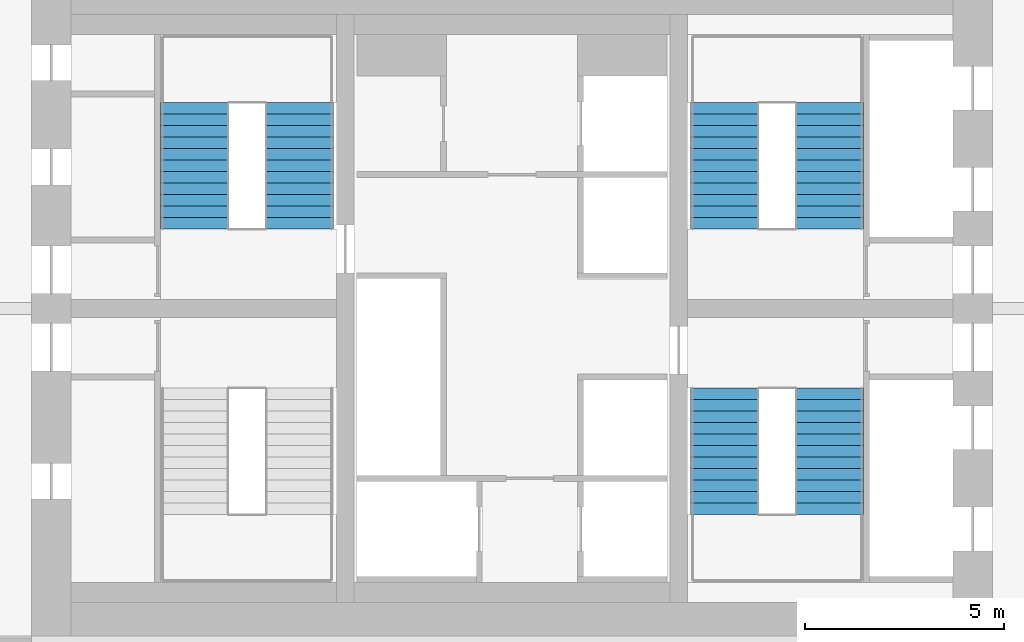
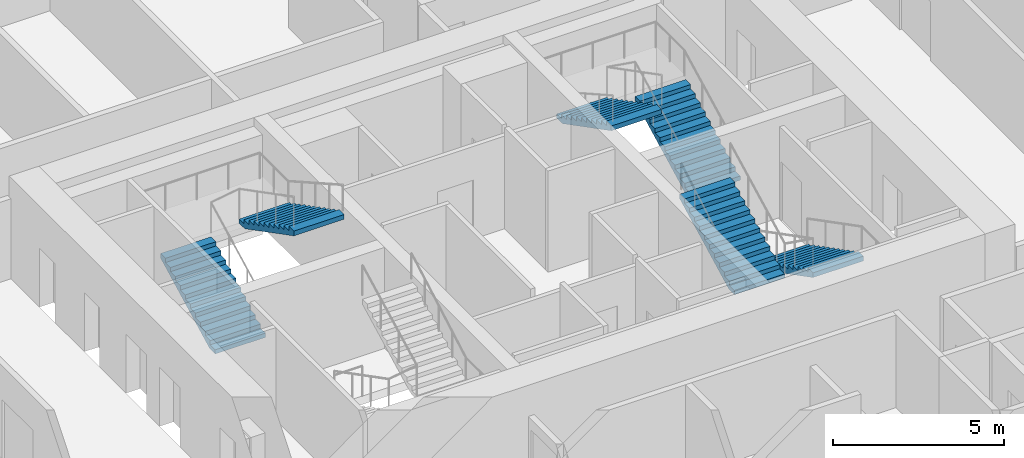
# One storey, part 33 of 34: 6 stair flights, 3 elements without a shape of their own.
"""IFC4 building model written with IfcOpenShell, lengths in metres."""

from ifc_helpers import new_model, si_unit, direction, frame, origin, place, context, subcontext, project, spatial, polyline, outline, extrude, material, type_object, element, aggregate, save


model = new_model("IFC4")

# Units and contexts
model_context = context("Model", 3, precision=1e-05, world=origin(), true_north=direction((0.0, 1.0)))
body_context = subcontext(model_context, "Body", "Model", "MODEL_VIEW")
ifc_project = project(units=[si_unit("LENGTHUNIT", "METRE"), si_unit("AREAUNIT", "SQUARE_METRE"), si_unit("VOLUMEUNIT", "CUBIC_METRE"), si_unit("PLANEANGLEUNIT", "RADIAN"), si_unit("MASSUNIT", "GRAM", prefix="KILO")], contexts=[model_context])

# Site, building, storey
site_placement = place(None, origin())
site = spatial("IfcSite", under=ifc_project, at=site_placement, CompositionType="ELEMENT")
building_placement = place(site_placement, origin())
building = spatial("IfcBuilding", under=site, at=building_placement, Name="Marenta Gate Hotel Tower", CompositionType="ELEMENT")
storey_placement = place(building_placement, frame((0.0, 0.0, 166.10009765625)))
storey = spatial("IfcBuildingStorey", under=building, at=storey_placement, Name="L39", CompositionType="ELEMENT", Elevation=166.10009765625)

# Stair, stair flights
ifc_material_1 = material(Name="Concrete C40", Category="concrete")
stair_type = type_object("IfcStairType", Name="Core exit stair 1700 wide", PredefinedType="HALF_TURN_STAIR", material=ifc_material_1)
stair_1_placement = place(storey_placement, origin())
stair_1 = element("IfcStair", 1, at=stair_1_placement, inside=storey, type_object=stair_type, Name="Exit stair 2", PredefinedType="HALF_TURN_STAIR")
ifc_material_2 = material(Name="Concrete C40", Category="concrete")
stair_flight_type = type_object("IfcStairFlightType", Name="Core stair flight 1700 riser 150.0 going 290", PredefinedType="STRAIGHT", material=ifc_material_2)
stair_flight_1_placement = place(storey_placement, frame((-8.0, 10.39990234375, 0.0), z_axis=(0.0, 0.0, 1.0), x_axis=(0.0, 1.0, 0.0)))
stair_flight_1 = element("IfcStairFlight", 2, at=stair_flight_1_placement, type_object=stair_flight_type, Name="ST2 flight 1", NumberOfRisers=12, NumberOfTreads=11, PredefinedType="STRAIGHT", RiserHeight=0.15, TreadLength=0.29, context=body_context, shape_type="SweptSolid", body=[
    extrude(outline(polyline([(0.0, 0.0), (0.0, 0.14990234375), (0.2900390625, 0.14990234375), (0.2900390625, 0.300048828125), (0.580078125, 0.300048828125), (0.580078125, 0.449951171875), (0.8701171875, 0.449951171875), (0.8701171875, 0.60009765625), (1.159912109375, 0.60009765625), (1.159912109375, 0.75), (1.449951171875, 0.75), (1.449951171875, 0.89990234375), (1.739990234375, 0.89990234375), (1.739990234375, 1.050048828125), (2.030029296875, 1.050048828125), (2.030029296875, 1.199951171875), (2.320068359375, 1.199951171875), (2.320068359375, 1.35009765625), (2.610107421875, 1.35009765625), (2.610107421875, 1.5), (2.89990234375, 1.5), (2.89990234375, 1.64990234375), (3.18994140625, 1.64990234375), (3.18994140625, 1.800048828125), (3.18994140625, 1.481201171875), (0.326171875, 0.0), (0.0, 0.0)])), frame((0.0, 0.85009765625, 0.0), z_axis=(0.0, -1.0, 0.0), x_axis=(1.0, 0.0, 0.0)), (0.0, 0.0, 1.0), 1.699951171875),
])
stair_flight_2_placement = place(storey_placement, frame((-5.35009765625, 13.590087890625, 1.7998046875), z_axis=(0.0, 0.0, 1.0), x_axis=(0.0, -1.0, 0.0)))
stair_flight_2 = element("IfcStairFlight", 3, at=stair_flight_2_placement, type_object=stair_flight_type, Name="ST2 flight 2", NumberOfRisers=12, NumberOfTreads=11, PredefinedType="STRAIGHT", RiserHeight=0.15, TreadLength=0.29, context=body_context, shape_type="SweptSolid", body=[
    extrude(outline(polyline([(0.0, 0.0), (0.0, 0.14990234375), (0.2900390625, 0.14990234375), (0.2900390625, 0.300048828125), (0.580078125, 0.300048828125), (0.580078125, 0.449951171875), (0.8701171875, 0.449951171875), (0.8701171875, 0.60009765625), (1.159912109375, 0.60009765625), (1.159912109375, 0.75), (1.449951171875, 0.75), (1.449951171875, 0.89990234375), (1.739990234375, 0.89990234375), (1.739990234375, 1.050048828125), (2.030029296875, 1.050048828125), (2.030029296875, 1.199951171875), (2.320068359375, 1.199951171875), (2.320068359375, 1.35009765625), (2.610107421875, 1.35009765625), (2.610107421875, 1.5), (2.89990234375, 1.5), (2.89990234375, 1.64990234375), (3.18994140625, 1.64990234375), (3.18994140625, 1.800048828125), (3.18994140625, 1.481201171875), (0.326171875, 0.0), (0.0, 0.0)])), frame((0.0, 0.85009765625, 0.0), z_axis=(0.0, -1.0, 0.0), x_axis=(1.0, 0.0, 0.0)), (0.0, 0.0, 1.0), 1.699951171875),
])
aggregate(stair_1, [stair_flight_1, stair_flight_2])

stair_2_placement = place(storey_placement, origin())
stair_2 = element("IfcStair", 4, at=stair_2_placement, inside=storey, type_object=stair_type, Name="Exit stair 3", PredefinedType="HALF_TURN_STAIR")
stair_flight_3_placement = place(storey_placement, frame((8.0, 6.39990234375, 0.0), z_axis=(0.0, 0.0, 1.0), x_axis=(0.0, -1.0, 0.0)))
stair_flight_3 = element("IfcStairFlight", 5, at=stair_flight_3_placement, type_object=stair_flight_type, Name="ST3 flight 1", NumberOfRisers=12, NumberOfTreads=11, PredefinedType="STRAIGHT", RiserHeight=0.15, TreadLength=0.29, context=body_context, shape_type="SweptSolid", body=[
    extrude(outline(polyline([(0.0, 0.0), (0.0, 0.14990234375), (0.2900390625, 0.14990234375), (0.2900390625, 0.300048828125), (0.580078125, 0.300048828125), (0.580078125, 0.449951171875), (0.8701171875, 0.449951171875), (0.8701171875, 0.60009765625), (1.159912109375, 0.60009765625), (1.159912109375, 0.75), (1.449951171875, 0.75), (1.449951171875, 0.89990234375), (1.739990234375, 0.89990234375), (1.739990234375, 1.050048828125), (2.030029296875, 1.050048828125), (2.030029296875, 1.199951171875), (2.320068359375, 1.199951171875), (2.320068359375, 1.35009765625), (2.610107421875, 1.35009765625), (2.610107421875, 1.5), (2.89990234375, 1.5), (2.89990234375, 1.64990234375), (3.18994140625, 1.64990234375), (3.18994140625, 1.800048828125), (3.18994140625, 1.481201171875), (0.326171875, 0.0), (0.0, 0.0)])), frame((0.0, 0.85009765625, 0.0), z_axis=(0.0, -1.0, 0.0), x_axis=(1.0, 0.0, 0.0)), (0.0, 0.0, 1.0), 1.699951171875),
])
stair_flight_4_placement = place(storey_placement, frame((5.35009765625, 3.2099609375, 1.7998046875), z_axis=(0.0, 0.0, 1.0), x_axis=(0.0, 1.0, 0.0)))
stair_flight_4 = element("IfcStairFlight", 6, at=stair_flight_4_placement, type_object=stair_flight_type, Name="ST3 flight 2", NumberOfRisers=12, NumberOfTreads=11, PredefinedType="STRAIGHT", RiserHeight=0.15, TreadLength=0.29, context=body_context, shape_type="SweptSolid", body=[
    extrude(outline(polyline([(0.0, 0.0), (0.0, 0.14990234375), (0.2900390625, 0.14990234375), (0.2900390625, 0.300048828125), (0.580078125, 0.300048828125), (0.580078125, 0.449951171875), (0.8701171875, 0.449951171875), (0.8701171875, 0.60009765625), (1.159912109375, 0.60009765625), (1.159912109375, 0.75), (1.449951171875, 0.75), (1.449951171875, 0.89990234375), (1.739990234375, 0.89990234375), (1.739990234375, 1.050048828125), (2.030029296875, 1.050048828125), (2.030029296875, 1.199951171875), (2.320068359375, 1.199951171875), (2.320068359375, 1.35009765625), (2.610107421875, 1.35009765625), (2.610107421875, 1.5), (2.89990234375, 1.5), (2.89990234375, 1.64990234375), (3.18994140625, 1.64990234375), (3.18994140625, 1.800048828125), (3.18994140625, 1.481201171875), (0.326171875, 0.0), (0.0, 0.0)])), frame((0.0, 0.85009765625, 0.0), z_axis=(0.0, -1.0, 0.0), x_axis=(1.0, 0.0, 0.0)), (0.0, 0.0, 1.0), 1.699951171875),
])
aggregate(stair_2, [stair_flight_3, stair_flight_4])

stair_3_placement = place(storey_placement, origin())
stair_3 = element("IfcStair", 7, at=stair_3_placement, inside=storey, type_object=stair_type, Name="Exit stair 4", PredefinedType="HALF_TURN_STAIR")
stair_flight_5_placement = place(storey_placement, frame((8.0, 10.39990234375, 0.0), z_axis=(0.0, 0.0, 1.0), x_axis=(0.0, 1.0, 0.0)))
stair_flight_5 = element("IfcStairFlight", 8, at=stair_flight_5_placement, type_object=stair_flight_type, Name="ST4 flight 1", NumberOfRisers=12, NumberOfTreads=11, PredefinedType="STRAIGHT", RiserHeight=0.15, TreadLength=0.29, context=body_context, shape_type="SweptSolid", body=[
    extrude(outline(polyline([(0.0, 0.0), (0.0, 0.14990234375), (0.2900390625, 0.14990234375), (0.2900390625, 0.300048828125), (0.580078125, 0.300048828125), (0.580078125, 0.449951171875), (0.8701171875, 0.449951171875), (0.8701171875, 0.60009765625), (1.159912109375, 0.60009765625), (1.159912109375, 0.75), (1.449951171875, 0.75), (1.449951171875, 0.89990234375), (1.739990234375, 0.89990234375), (1.739990234375, 1.050048828125), (2.030029296875, 1.050048828125), (2.030029296875, 1.199951171875), (2.320068359375, 1.199951171875), (2.320068359375, 1.35009765625), (2.610107421875, 1.35009765625), (2.610107421875, 1.5), (2.89990234375, 1.5), (2.89990234375, 1.64990234375), (3.18994140625, 1.64990234375), (3.18994140625, 1.800048828125), (3.18994140625, 1.481201171875), (0.326171875, 0.0), (0.0, 0.0)])), frame((0.0, 0.85009765625, 0.0), z_axis=(0.0, -1.0, 0.0), x_axis=(1.0, 0.0, 0.0)), (0.0, 0.0, 1.0), 1.699951171875),
])
stair_flight_6_placement = place(storey_placement, frame((5.35009765625, 13.590087890625, 1.7998046875), z_axis=(0.0, 0.0, 1.0), x_axis=(0.0, -1.0, 0.0)))
stair_flight_6 = element("IfcStairFlight", 9, at=stair_flight_6_placement, type_object=stair_flight_type, Name="ST4 flight 2", NumberOfRisers=12, NumberOfTreads=11, PredefinedType="STRAIGHT", RiserHeight=0.15, TreadLength=0.29, context=body_context, shape_type="SweptSolid", body=[
    extrude(outline(polyline([(0.0, 0.0), (0.0, 0.14990234375), (0.2900390625, 0.14990234375), (0.2900390625, 0.300048828125), (0.580078125, 0.300048828125), (0.580078125, 0.449951171875), (0.8701171875, 0.449951171875), (0.8701171875, 0.60009765625), (1.159912109375, 0.60009765625), (1.159912109375, 0.75), (1.449951171875, 0.75), (1.449951171875, 0.89990234375), (1.739990234375, 0.89990234375), (1.739990234375, 1.050048828125), (2.030029296875, 1.050048828125), (2.030029296875, 1.199951171875), (2.320068359375, 1.199951171875), (2.320068359375, 1.35009765625), (2.610107421875, 1.35009765625), (2.610107421875, 1.5), (2.89990234375, 1.5), (2.89990234375, 1.64990234375), (3.18994140625, 1.64990234375), (3.18994140625, 1.800048828125), (3.18994140625, 1.481201171875), (0.326171875, 0.0), (0.0, 0.0)])), frame((0.0, 0.85009765625, 0.0), z_axis=(0.0, -1.0, 0.0), x_axis=(1.0, 0.0, 0.0)), (0.0, 0.0, 1.0), 1.699951171875),
])
aggregate(stair_3, [stair_flight_5, stair_flight_6])

save(model, "model.ifc")
